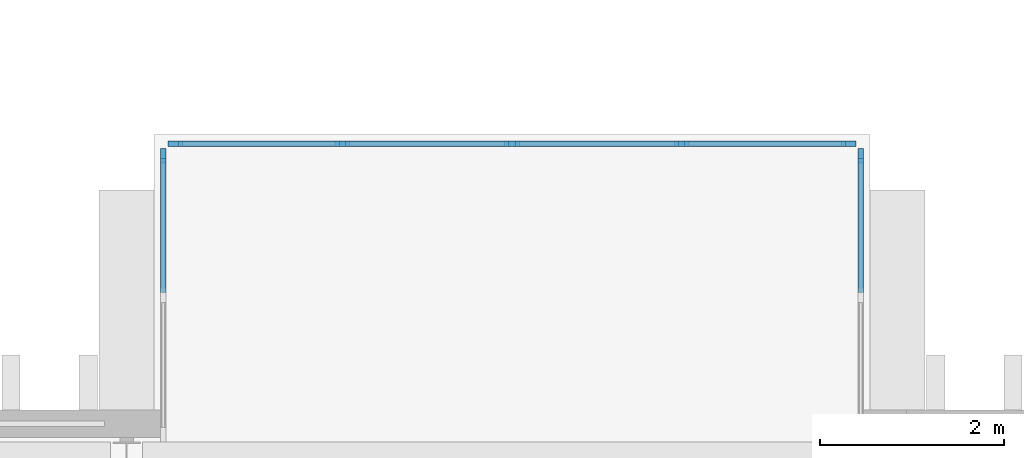
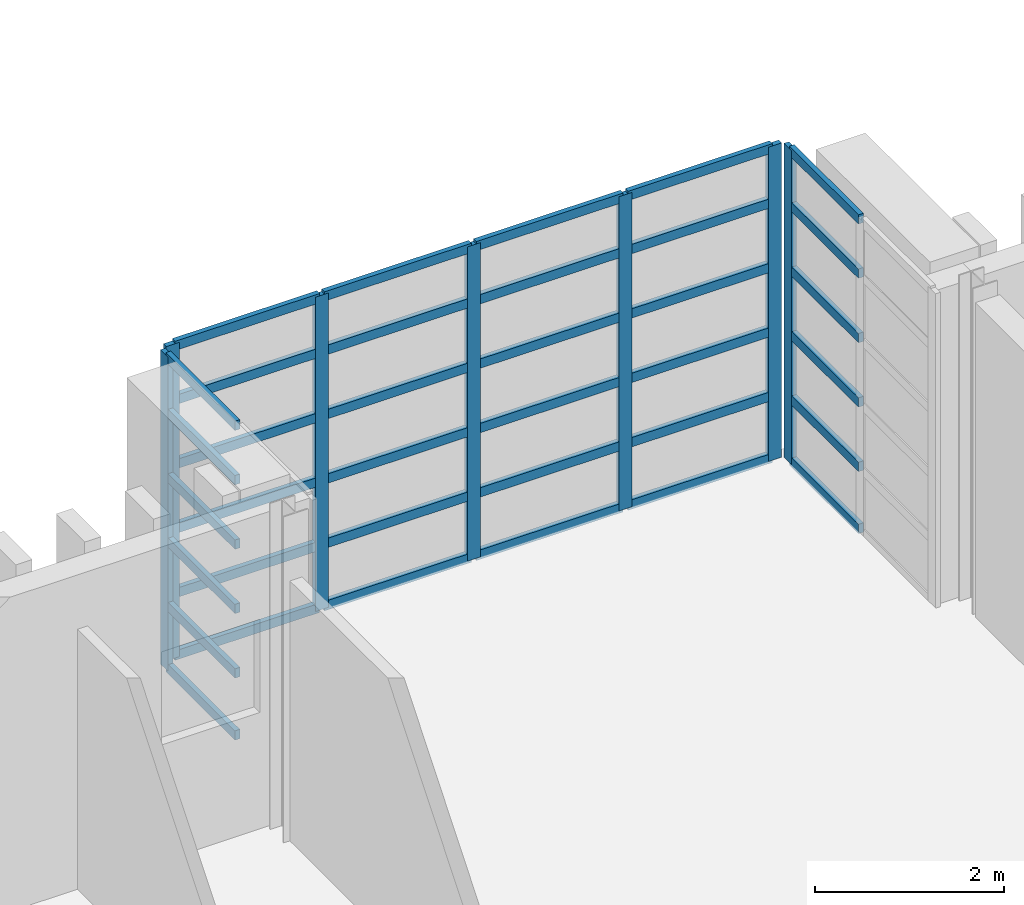
# One storey, part 32 of 100: 43 members, 3 elements without a shape of their own.
"""IFC4 building model written with IfcOpenShell, lengths in metres."""

from ifc_helpers import new_model, si_unit, direction, frame, origin, origin_2d, place, context, subcontext, project, spatial, rectangle, extrude, material, layer, layer_set, material_profile, profile_set, type_object, element, aggregate, save


model = new_model("IFC4")

# Units and contexts
model_context = context("Model", 3, precision=1e-05, world=origin(), true_north=direction((0.0, 1.0)))
body_context = subcontext(model_context, "Body", "Model", "MODEL_VIEW")
ifc_project = project(units=[si_unit("LENGTHUNIT", "METRE"), si_unit("AREAUNIT", "SQUARE_METRE"), si_unit("VOLUMEUNIT", "CUBIC_METRE"), si_unit("PLANEANGLEUNIT", "RADIAN"), si_unit("MASSUNIT", "GRAM", prefix="KILO")], contexts=[model_context])

# Site, building, storey
site_placement = place(None, origin())
site = spatial("IfcSite", under=ifc_project, at=site_placement, CompositionType="ELEMENT")
building_placement = place(site_placement, origin())
building = spatial("IfcBuilding", under=site, at=building_placement, Name="Cresset Court Congress Hotel", CompositionType="ELEMENT")
storey_placement = place(building_placement, frame((0.0, 0.0, 10.199951171875)))
storey = spatial("IfcBuildingStorey", under=building, at=storey_placement, Name="L02", CompositionType="ELEMENT", Elevation=10.199951171875)

# Curtain wall, members
ifc_material_1 = material(Name="Aluminium frame with double glazing", Category="aluminium")
ifc_layer = layer(ifc_material_1, 0.199951171875)
ifc_layer_set = layer_set([ifc_layer], Name="Glazed box curtain wall 1680 module")
curtain_wall_type = type_object("IfcCurtainWallType", Name="Glazed box curtain wall 1680 module", PredefinedType="NOTDEFINED", material=ifc_layer_set)
curtain_wall_1_placement = place(storey_placement, origin())
curtain_wall_1 = element("IfcCurtainWall", 1, at=curtain_wall_1_placement, inside=storey, type_object=curtain_wall_type, Name="Glazed box N0232 front", PredefinedType="NOTDEFINED")
ifc_material_2 = material(Name="Aluminium", Category="aluminium")
ifc_material_profile_1 = material_profile(ifc_material_2, rectangle(XDim=0.06005859375, YDim=0.159912109375, at=origin_2d()), Name="Box mullion 60x160")
ifc_profile_set_1 = profile_set([ifc_material_profile_1], Name="Aluminium")
member_type_1 = type_object("IfcMemberType", Name="Box mullion 60x160", PredefinedType="MULLION", material=ifc_profile_set_1)
member_1_placement = place(storey_placement, frame((126.530029296875, 28.60009765625, 0.0), z_axis=(0.0, 0.0, 1.0), x_axis=(0.0, 1.0, 0.0)))
member_1 = element("IfcMember", 2, at=member_1_placement, type_object=member_type_1, Name="B-X1 mullion 1", PredefinedType="MULLION", context=body_context, shape_type="SweptSolid", body=[
    extrude(rectangle(XDim=0.06005859375, YDim=0.159912109375, at=origin_2d()), origin(), (0.0, 0.0, 1.0), 4.050048828125),
])
member_2_placement = place(storey_placement, frame((128.35009765625, 28.60009765625, 0.0), z_axis=(0.0, 0.0, 1.0), x_axis=(0.0, 1.0, 0.0)))
member_2 = element("IfcMember", 3, at=member_2_placement, type_object=member_type_1, Name="B-X1 mullion 2", PredefinedType="MULLION", context=body_context, shape_type="SweptSolid", body=[
    extrude(rectangle(XDim=0.06005859375, YDim=0.159912109375, at=origin_2d()), origin(), (0.0, 0.0, 1.0), 4.050048828125),
])
member_3_placement = place(storey_placement, frame((130.199951171875, 28.60009765625, 0.0), z_axis=(0.0, 0.0, 1.0), x_axis=(0.0, 1.0, 0.0)))
member_3 = element("IfcMember", 4, at=member_3_placement, type_object=member_type_1, Name="B-X1 mullion 3", PredefinedType="MULLION", context=body_context, shape_type="SweptSolid", body=[
    extrude(rectangle(XDim=0.06005859375, YDim=0.159912109375, at=origin_2d()), origin(), (0.0, 0.0, 1.0), 4.050048828125),
])
member_4_placement = place(storey_placement, frame((132.050048828125, 28.60009765625, 0.0), z_axis=(0.0, 0.0, 1.0), x_axis=(0.0, 1.0, 0.0)))
member_4 = element("IfcMember", 5, at=member_4_placement, type_object=member_type_1, Name="B-X1 mullion 4", PredefinedType="MULLION", context=body_context, shape_type="SweptSolid", body=[
    extrude(rectangle(XDim=0.06005859375, YDim=0.159912109375, at=origin_2d()), origin(), (0.0, 0.0, 1.0), 4.050048828125),
])
member_5_placement = place(storey_placement, frame((133.8701171875, 28.60009765625, 0.0), z_axis=(0.0, 0.0, 1.0), x_axis=(0.0, 1.0, 0.0)))
member_5 = element("IfcMember", 6, at=member_5_placement, type_object=member_type_1, Name="B-X1 mullion 5", PredefinedType="MULLION", context=body_context, shape_type="SweptSolid", body=[
    extrude(rectangle(XDim=0.06005859375, YDim=0.159912109375, at=origin_2d()), origin(), (0.0, 0.0, 1.0), 4.050048828125),
])

# Curtain wall, member
curtain_wall_2_placement = place(storey_placement, origin())
curtain_wall_2 = element("IfcCurtainWall", 7, at=curtain_wall_2_placement, inside=storey, type_object=curtain_wall_type, Name="Glazed box N0232 side", PredefinedType="NOTDEFINED")
member_6_placement = place(storey_placement, frame((126.39990234375, 28.469970703125, 0.0), z_axis=(0.0, 0.0, 1.0), x_axis=(-1.0, 0.0, 0.0)))
member_6 = element("IfcMember", 8, at=member_6_placement, type_object=member_type_1, Name="B-X1 mullion 3", PredefinedType="MULLION", context=body_context, shape_type="SweptSolid", body=[
    extrude(rectangle(XDim=0.06005859375, YDim=0.159912109375, at=origin_2d()), origin(), (0.0, 0.0, 1.0), 4.050048828125),
])

curtain_wall_3_placement = place(storey_placement, origin())
curtain_wall_3 = element("IfcCurtainWall", 9, at=curtain_wall_3_placement, inside=storey, type_object=curtain_wall_type, Name="Glazed box N0232 side", PredefinedType="NOTDEFINED")
member_7_placement = place(storey_placement, frame((134.0, 28.469970703125, 0.0), z_axis=(0.0, 0.0, 1.0), x_axis=(-1.0, 0.0, 0.0)))
member_7 = element("IfcMember", 10, at=member_7_placement, type_object=member_type_1, Name="B-X1 mullion 3", PredefinedType="MULLION", context=body_context, shape_type="SweptSolid", body=[
    extrude(rectangle(XDim=0.06005859375, YDim=0.159912109375, at=origin_2d()), origin(), (0.0, 0.0, 1.0), 4.050048828125),
])

# Member
ifc_material_3 = material(Name="Aluminium", Category="aluminium")
ifc_material_profile_2 = material_profile(ifc_material_3, rectangle(XDim=0.06005859375, YDim=0.1201171875, at=origin_2d()), Name="Box transom 60x120")
ifc_profile_set_2 = profile_set([ifc_material_profile_2], Name="Aluminium")
member_type_2 = type_object("IfcMemberType", Name="Box transom 60x120", PredefinedType="USERDEFINED", material=ifc_profile_set_2)
member_8_placement = place(storey_placement, frame((126.56005859375, 28.60009765625, 0.030029296875), z_axis=(1.0, 0.0, 0.0), x_axis=(0.0, 1.0, 0.0)))
member_8 = element("IfcMember", 11, at=member_8_placement, type_object=member_type_2, Name="B-X1 transom 1.1", ObjectType="TRANSOM", PredefinedType="USERDEFINED", context=body_context, shape_type="SweptSolid", body=[
    extrude(rectangle(XDim=0.06005859375, YDim=0.1201171875, at=origin_2d()), origin(), (0.0, 0.0, 1.0), 1.760009765625),
])

member_9_placement = place(storey_placement, frame((126.56005859375, 28.60009765625, 0.830078125), z_axis=(1.0, 0.0, 0.0), x_axis=(0.0, 1.0, 0.0)))
member_9 = element("IfcMember", 12, at=member_9_placement, type_object=member_type_2, Name="B-X1 transom 1.2", ObjectType="TRANSOM", PredefinedType="USERDEFINED", context=body_context, shape_type="SweptSolid", body=[
    extrude(rectangle(XDim=0.06005859375, YDim=0.1201171875, at=origin_2d()), origin(), (0.0, 0.0, 1.0), 1.760009765625),
])

member_10_placement = place(storey_placement, frame((126.56005859375, 28.60009765625, 1.66015625), z_axis=(1.0, 0.0, 0.0), x_axis=(0.0, 1.0, 0.0)))
member_10 = element("IfcMember", 13, at=member_10_placement, type_object=member_type_2, Name="B-X1 transom 1.3", ObjectType="TRANSOM", PredefinedType="USERDEFINED", context=body_context, shape_type="SweptSolid", body=[
    extrude(rectangle(XDim=0.06005859375, YDim=0.1201171875, at=origin_2d()), origin(), (0.0, 0.0, 1.0), 1.760009765625),
])

member_11_placement = place(storey_placement, frame((126.56005859375, 28.60009765625, 2.489990234375), z_axis=(1.0, 0.0, 0.0), x_axis=(0.0, 1.0, 0.0)))
member_11 = element("IfcMember", 14, at=member_11_placement, type_object=member_type_2, Name="B-X1 transom 1.4", ObjectType="TRANSOM", PredefinedType="USERDEFINED", context=body_context, shape_type="SweptSolid", body=[
    extrude(rectangle(XDim=0.06005859375, YDim=0.1201171875, at=origin_2d()), origin(), (0.0, 0.0, 1.0), 1.760009765625),
])

member_12_placement = place(storey_placement, frame((126.56005859375, 28.60009765625, 3.320068359375), z_axis=(1.0, 0.0, 0.0), x_axis=(0.0, 1.0, 0.0)))
member_12 = element("IfcMember", 15, at=member_12_placement, type_object=member_type_2, Name="B-X1 transom 1.5", ObjectType="TRANSOM", PredefinedType="USERDEFINED", context=body_context, shape_type="SweptSolid", body=[
    extrude(rectangle(XDim=0.06005859375, YDim=0.1201171875, at=origin_2d()), origin(), (0.0, 0.0, 1.0), 1.760009765625),
])

member_13_placement = place(storey_placement, frame((126.56005859375, 28.60009765625, 4.02001953125), z_axis=(1.0, 0.0, 0.0), x_axis=(0.0, 1.0, 0.0)))
member_13 = element("IfcMember", 16, at=member_13_placement, type_object=member_type_2, Name="B-X1 transom 1.6", ObjectType="TRANSOM", PredefinedType="USERDEFINED", context=body_context, shape_type="SweptSolid", body=[
    extrude(rectangle(XDim=0.06005859375, YDim=0.1201171875, at=origin_2d()), origin(), (0.0, 0.0, 1.0), 1.760009765625),
])

member_14_placement = place(storey_placement, frame((128.3798828125, 28.60009765625, 0.030029296875), z_axis=(1.0, 0.0, 0.0), x_axis=(0.0, 1.0, 0.0)))
member_14 = element("IfcMember", 17, at=member_14_placement, type_object=member_type_2, Name="B-X1 transom 2.1", ObjectType="TRANSOM", PredefinedType="USERDEFINED", context=body_context, shape_type="SweptSolid", body=[
    extrude(rectangle(XDim=0.06005859375, YDim=0.1201171875, at=origin_2d()), origin(), (0.0, 0.0, 1.0), 1.7900390625),
])

member_15_placement = place(storey_placement, frame((128.3798828125, 28.60009765625, 0.830078125), z_axis=(1.0, 0.0, 0.0), x_axis=(0.0, 1.0, 0.0)))
member_15 = element("IfcMember", 18, at=member_15_placement, type_object=member_type_2, Name="B-X1 transom 2.2", ObjectType="TRANSOM", PredefinedType="USERDEFINED", context=body_context, shape_type="SweptSolid", body=[
    extrude(rectangle(XDim=0.06005859375, YDim=0.1201171875, at=origin_2d()), origin(), (0.0, 0.0, 1.0), 1.7900390625),
])

member_16_placement = place(storey_placement, frame((128.3798828125, 28.60009765625, 1.66015625), z_axis=(1.0, 0.0, 0.0), x_axis=(0.0, 1.0, 0.0)))
member_16 = element("IfcMember", 19, at=member_16_placement, type_object=member_type_2, Name="B-X1 transom 2.3", ObjectType="TRANSOM", PredefinedType="USERDEFINED", context=body_context, shape_type="SweptSolid", body=[
    extrude(rectangle(XDim=0.06005859375, YDim=0.1201171875, at=origin_2d()), origin(), (0.0, 0.0, 1.0), 1.7900390625),
])

member_17_placement = place(storey_placement, frame((128.3798828125, 28.60009765625, 2.489990234375), z_axis=(1.0, 0.0, 0.0), x_axis=(0.0, 1.0, 0.0)))
member_17 = element("IfcMember", 20, at=member_17_placement, type_object=member_type_2, Name="B-X1 transom 2.4", ObjectType="TRANSOM", PredefinedType="USERDEFINED", context=body_context, shape_type="SweptSolid", body=[
    extrude(rectangle(XDim=0.06005859375, YDim=0.1201171875, at=origin_2d()), origin(), (0.0, 0.0, 1.0), 1.7900390625),
])

member_18_placement = place(storey_placement, frame((128.3798828125, 28.60009765625, 3.320068359375), z_axis=(1.0, 0.0, 0.0), x_axis=(0.0, 1.0, 0.0)))
member_18 = element("IfcMember", 21, at=member_18_placement, type_object=member_type_2, Name="B-X1 transom 2.5", ObjectType="TRANSOM", PredefinedType="USERDEFINED", context=body_context, shape_type="SweptSolid", body=[
    extrude(rectangle(XDim=0.06005859375, YDim=0.1201171875, at=origin_2d()), origin(), (0.0, 0.0, 1.0), 1.7900390625),
])

member_19_placement = place(storey_placement, frame((128.3798828125, 28.60009765625, 4.02001953125), z_axis=(1.0, 0.0, 0.0), x_axis=(0.0, 1.0, 0.0)))
member_19 = element("IfcMember", 22, at=member_19_placement, type_object=member_type_2, Name="B-X1 transom 2.6", ObjectType="TRANSOM", PredefinedType="USERDEFINED", context=body_context, shape_type="SweptSolid", body=[
    extrude(rectangle(XDim=0.06005859375, YDim=0.1201171875, at=origin_2d()), origin(), (0.0, 0.0, 1.0), 1.7900390625),
])

member_20_placement = place(storey_placement, frame((130.22998046875, 28.60009765625, 0.030029296875), z_axis=(1.0, 0.0, 0.0), x_axis=(0.0, 1.0, 0.0)))
member_20 = element("IfcMember", 23, at=member_20_placement, type_object=member_type_2, Name="B-X1 transom 3.1", ObjectType="TRANSOM", PredefinedType="USERDEFINED", context=body_context, shape_type="SweptSolid", body=[
    extrude(rectangle(XDim=0.06005859375, YDim=0.1201171875, at=origin_2d()), origin(), (0.0, 0.0, 1.0), 1.7900390625),
])

member_21_placement = place(storey_placement, frame((130.22998046875, 28.60009765625, 0.830078125), z_axis=(1.0, 0.0, 0.0), x_axis=(0.0, 1.0, 0.0)))
member_21 = element("IfcMember", 24, at=member_21_placement, type_object=member_type_2, Name="B-X1 transom 3.2", ObjectType="TRANSOM", PredefinedType="USERDEFINED", context=body_context, shape_type="SweptSolid", body=[
    extrude(rectangle(XDim=0.06005859375, YDim=0.1201171875, at=origin_2d()), origin(), (0.0, 0.0, 1.0), 1.7900390625),
])

member_22_placement = place(storey_placement, frame((130.22998046875, 28.60009765625, 1.66015625), z_axis=(1.0, 0.0, 0.0), x_axis=(0.0, 1.0, 0.0)))
member_22 = element("IfcMember", 25, at=member_22_placement, type_object=member_type_2, Name="B-X1 transom 3.3", ObjectType="TRANSOM", PredefinedType="USERDEFINED", context=body_context, shape_type="SweptSolid", body=[
    extrude(rectangle(XDim=0.06005859375, YDim=0.1201171875, at=origin_2d()), origin(), (0.0, 0.0, 1.0), 1.7900390625),
])

member_23_placement = place(storey_placement, frame((130.22998046875, 28.60009765625, 2.489990234375), z_axis=(1.0, 0.0, 0.0), x_axis=(0.0, 1.0, 0.0)))
member_23 = element("IfcMember", 26, at=member_23_placement, type_object=member_type_2, Name="B-X1 transom 3.4", ObjectType="TRANSOM", PredefinedType="USERDEFINED", context=body_context, shape_type="SweptSolid", body=[
    extrude(rectangle(XDim=0.06005859375, YDim=0.1201171875, at=origin_2d()), origin(), (0.0, 0.0, 1.0), 1.7900390625),
])

member_24_placement = place(storey_placement, frame((130.22998046875, 28.60009765625, 3.320068359375), z_axis=(1.0, 0.0, 0.0), x_axis=(0.0, 1.0, 0.0)))
member_24 = element("IfcMember", 27, at=member_24_placement, type_object=member_type_2, Name="B-X1 transom 3.5", ObjectType="TRANSOM", PredefinedType="USERDEFINED", context=body_context, shape_type="SweptSolid", body=[
    extrude(rectangle(XDim=0.06005859375, YDim=0.1201171875, at=origin_2d()), origin(), (0.0, 0.0, 1.0), 1.7900390625),
])

member_25_placement = place(storey_placement, frame((130.22998046875, 28.60009765625, 4.02001953125), z_axis=(1.0, 0.0, 0.0), x_axis=(0.0, 1.0, 0.0)))
member_25 = element("IfcMember", 28, at=member_25_placement, type_object=member_type_2, Name="B-X1 transom 3.6", ObjectType="TRANSOM", PredefinedType="USERDEFINED", context=body_context, shape_type="SweptSolid", body=[
    extrude(rectangle(XDim=0.06005859375, YDim=0.1201171875, at=origin_2d()), origin(), (0.0, 0.0, 1.0), 1.7900390625),
])

member_26_placement = place(storey_placement, frame((132.080078125, 28.60009765625, 0.030029296875), z_axis=(1.0, 0.0, 0.0), x_axis=(0.0, 1.0, 0.0)))
member_26 = element("IfcMember", 29, at=member_26_placement, type_object=member_type_2, Name="B-X1 transom 4.1", ObjectType="TRANSOM", PredefinedType="USERDEFINED", context=body_context, shape_type="SweptSolid", body=[
    extrude(rectangle(XDim=0.06005859375, YDim=0.1201171875, at=origin_2d()), origin(), (0.0, 0.0, 1.0), 1.760009765625),
])

member_27_placement = place(storey_placement, frame((132.080078125, 28.60009765625, 0.830078125), z_axis=(1.0, 0.0, 0.0), x_axis=(0.0, 1.0, 0.0)))
member_27 = element("IfcMember", 30, at=member_27_placement, type_object=member_type_2, Name="B-X1 transom 4.2", ObjectType="TRANSOM", PredefinedType="USERDEFINED", context=body_context, shape_type="SweptSolid", body=[
    extrude(rectangle(XDim=0.06005859375, YDim=0.1201171875, at=origin_2d()), origin(), (0.0, 0.0, 1.0), 1.760009765625),
])

member_28_placement = place(storey_placement, frame((132.080078125, 28.60009765625, 1.66015625), z_axis=(1.0, 0.0, 0.0), x_axis=(0.0, 1.0, 0.0)))
member_28 = element("IfcMember", 31, at=member_28_placement, type_object=member_type_2, Name="B-X1 transom 4.3", ObjectType="TRANSOM", PredefinedType="USERDEFINED", context=body_context, shape_type="SweptSolid", body=[
    extrude(rectangle(XDim=0.06005859375, YDim=0.1201171875, at=origin_2d()), origin(), (0.0, 0.0, 1.0), 1.760009765625),
])

member_29_placement = place(storey_placement, frame((132.080078125, 28.60009765625, 2.489990234375), z_axis=(1.0, 0.0, 0.0), x_axis=(0.0, 1.0, 0.0)))
member_29 = element("IfcMember", 32, at=member_29_placement, type_object=member_type_2, Name="B-X1 transom 4.4", ObjectType="TRANSOM", PredefinedType="USERDEFINED", context=body_context, shape_type="SweptSolid", body=[
    extrude(rectangle(XDim=0.06005859375, YDim=0.1201171875, at=origin_2d()), origin(), (0.0, 0.0, 1.0), 1.760009765625),
])

member_30_placement = place(storey_placement, frame((132.080078125, 28.60009765625, 3.320068359375), z_axis=(1.0, 0.0, 0.0), x_axis=(0.0, 1.0, 0.0)))
member_30 = element("IfcMember", 33, at=member_30_placement, type_object=member_type_2, Name="B-X1 transom 4.5", ObjectType="TRANSOM", PredefinedType="USERDEFINED", context=body_context, shape_type="SweptSolid", body=[
    extrude(rectangle(XDim=0.06005859375, YDim=0.1201171875, at=origin_2d()), origin(), (0.0, 0.0, 1.0), 1.760009765625),
])

member_31_placement = place(storey_placement, frame((132.080078125, 28.60009765625, 4.02001953125), z_axis=(1.0, 0.0, 0.0), x_axis=(0.0, 1.0, 0.0)))
member_31 = element("IfcMember", 34, at=member_31_placement, type_object=member_type_2, Name="B-X1 transom 4.6", ObjectType="TRANSOM", PredefinedType="USERDEFINED", context=body_context, shape_type="SweptSolid", body=[
    extrude(rectangle(XDim=0.06005859375, YDim=0.1201171875, at=origin_2d()), origin(), (0.0, 0.0, 1.0), 1.760009765625),
])

aggregate(curtain_wall_1, [member_1, member_2, member_3, member_4, member_5, member_8, member_9, member_10, member_11, member_12, member_13, member_14, member_15, member_16, member_17, member_18, member_19, member_20, member_21, member_22, member_23, member_24, member_25, member_26, member_27, member_28, member_29, member_30, member_31])

member_32_placement = place(storey_placement, frame((126.39990234375, 26.97998046875, 0.030029296875), z_axis=(0.0, 1.0, 0.0), x_axis=(-1.0, 0.0, 0.0)))
member_32 = element("IfcMember", 35, at=member_32_placement, type_object=member_type_2, Name="B-X1 transom 2.1", ObjectType="TRANSOM", PredefinedType="USERDEFINED", context=body_context, shape_type="SweptSolid", body=[
    extrude(rectangle(XDim=0.06005859375, YDim=0.1201171875, at=origin_2d()), origin(), (0.0, 0.0, 1.0), 1.4599609375),
])

member_33_placement = place(storey_placement, frame((126.39990234375, 26.97998046875, 0.830078125), z_axis=(0.0, 1.0, 0.0), x_axis=(-1.0, 0.0, 0.0)))
member_33 = element("IfcMember", 36, at=member_33_placement, type_object=member_type_2, Name="B-X1 transom 2.2", ObjectType="TRANSOM", PredefinedType="USERDEFINED", context=body_context, shape_type="SweptSolid", body=[
    extrude(rectangle(XDim=0.06005859375, YDim=0.1201171875, at=origin_2d()), origin(), (0.0, 0.0, 1.0), 1.4599609375),
])

member_34_placement = place(storey_placement, frame((126.39990234375, 26.97998046875, 1.66015625), z_axis=(0.0, 1.0, 0.0), x_axis=(-1.0, 0.0, 0.0)))
member_34 = element("IfcMember", 37, at=member_34_placement, type_object=member_type_2, Name="B-X1 transom 2.3", ObjectType="TRANSOM", PredefinedType="USERDEFINED", context=body_context, shape_type="SweptSolid", body=[
    extrude(rectangle(XDim=0.06005859375, YDim=0.1201171875, at=origin_2d()), origin(), (0.0, 0.0, 1.0), 1.4599609375),
])

member_35_placement = place(storey_placement, frame((126.39990234375, 26.97998046875, 2.489990234375), z_axis=(0.0, 1.0, 0.0), x_axis=(-1.0, 0.0, 0.0)))
member_35 = element("IfcMember", 38, at=member_35_placement, type_object=member_type_2, Name="B-X1 transom 2.4", ObjectType="TRANSOM", PredefinedType="USERDEFINED", context=body_context, shape_type="SweptSolid", body=[
    extrude(rectangle(XDim=0.06005859375, YDim=0.1201171875, at=origin_2d()), origin(), (0.0, 0.0, 1.0), 1.4599609375),
])

member_36_placement = place(storey_placement, frame((126.39990234375, 26.97998046875, 3.320068359375), z_axis=(0.0, 1.0, 0.0), x_axis=(-1.0, 0.0, 0.0)))
member_36 = element("IfcMember", 39, at=member_36_placement, type_object=member_type_2, Name="B-X1 transom 2.5", ObjectType="TRANSOM", PredefinedType="USERDEFINED", context=body_context, shape_type="SweptSolid", body=[
    extrude(rectangle(XDim=0.06005859375, YDim=0.1201171875, at=origin_2d()), origin(), (0.0, 0.0, 1.0), 1.4599609375),
])

member_37_placement = place(storey_placement, frame((126.39990234375, 26.97998046875, 4.02001953125), z_axis=(0.0, 1.0, 0.0), x_axis=(-1.0, 0.0, 0.0)))
member_37 = element("IfcMember", 40, at=member_37_placement, type_object=member_type_2, Name="B-X1 transom 2.6", ObjectType="TRANSOM", PredefinedType="USERDEFINED", context=body_context, shape_type="SweptSolid", body=[
    extrude(rectangle(XDim=0.06005859375, YDim=0.1201171875, at=origin_2d()), origin(), (0.0, 0.0, 1.0), 1.4599609375),
])

aggregate(curtain_wall_2, [member_6, member_32, member_33, member_34, member_35, member_36, member_37])

member_38_placement = place(storey_placement, frame((134.0, 26.97998046875, 0.030029296875), z_axis=(0.0, 1.0, 0.0), x_axis=(-1.0, 0.0, 0.0)))
member_38 = element("IfcMember", 41, at=member_38_placement, type_object=member_type_2, Name="B-X1 transom 2.1", ObjectType="TRANSOM", PredefinedType="USERDEFINED", context=body_context, shape_type="SweptSolid", body=[
    extrude(rectangle(XDim=0.06005859375, YDim=0.1201171875, at=origin_2d()), origin(), (0.0, 0.0, 1.0), 1.4599609375),
])

member_39_placement = place(storey_placement, frame((134.0, 26.97998046875, 0.830078125), z_axis=(0.0, 1.0, 0.0), x_axis=(-1.0, 0.0, 0.0)))
member_39 = element("IfcMember", 42, at=member_39_placement, type_object=member_type_2, Name="B-X1 transom 2.2", ObjectType="TRANSOM", PredefinedType="USERDEFINED", context=body_context, shape_type="SweptSolid", body=[
    extrude(rectangle(XDim=0.06005859375, YDim=0.1201171875, at=origin_2d()), origin(), (0.0, 0.0, 1.0), 1.4599609375),
])

member_40_placement = place(storey_placement, frame((134.0, 26.97998046875, 1.66015625), z_axis=(0.0, 1.0, 0.0), x_axis=(-1.0, 0.0, 0.0)))
member_40 = element("IfcMember", 43, at=member_40_placement, type_object=member_type_2, Name="B-X1 transom 2.3", ObjectType="TRANSOM", PredefinedType="USERDEFINED", context=body_context, shape_type="SweptSolid", body=[
    extrude(rectangle(XDim=0.06005859375, YDim=0.1201171875, at=origin_2d()), origin(), (0.0, 0.0, 1.0), 1.4599609375),
])

member_41_placement = place(storey_placement, frame((134.0, 26.97998046875, 2.489990234375), z_axis=(0.0, 1.0, 0.0), x_axis=(-1.0, 0.0, 0.0)))
member_41 = element("IfcMember", 44, at=member_41_placement, type_object=member_type_2, Name="B-X1 transom 2.4", ObjectType="TRANSOM", PredefinedType="USERDEFINED", context=body_context, shape_type="SweptSolid", body=[
    extrude(rectangle(XDim=0.06005859375, YDim=0.1201171875, at=origin_2d()), origin(), (0.0, 0.0, 1.0), 1.4599609375),
])

member_42_placement = place(storey_placement, frame((134.0, 26.97998046875, 3.320068359375), z_axis=(0.0, 1.0, 0.0), x_axis=(-1.0, 0.0, 0.0)))
member_42 = element("IfcMember", 45, at=member_42_placement, type_object=member_type_2, Name="B-X1 transom 2.5", ObjectType="TRANSOM", PredefinedType="USERDEFINED", context=body_context, shape_type="SweptSolid", body=[
    extrude(rectangle(XDim=0.06005859375, YDim=0.1201171875, at=origin_2d()), origin(), (0.0, 0.0, 1.0), 1.4599609375),
])

member_43_placement = place(storey_placement, frame((134.0, 26.97998046875, 4.02001953125), z_axis=(0.0, 1.0, 0.0), x_axis=(-1.0, 0.0, 0.0)))
member_43 = element("IfcMember", 46, at=member_43_placement, type_object=member_type_2, Name="B-X1 transom 2.6", ObjectType="TRANSOM", PredefinedType="USERDEFINED", context=body_context, shape_type="SweptSolid", body=[
    extrude(rectangle(XDim=0.06005859375, YDim=0.1201171875, at=origin_2d()), origin(), (0.0, 0.0, 1.0), 1.4599609375),
])

aggregate(curtain_wall_3, [member_7, member_38, member_39, member_40, member_41, member_42, member_43])

save(model, "model.ifc")
